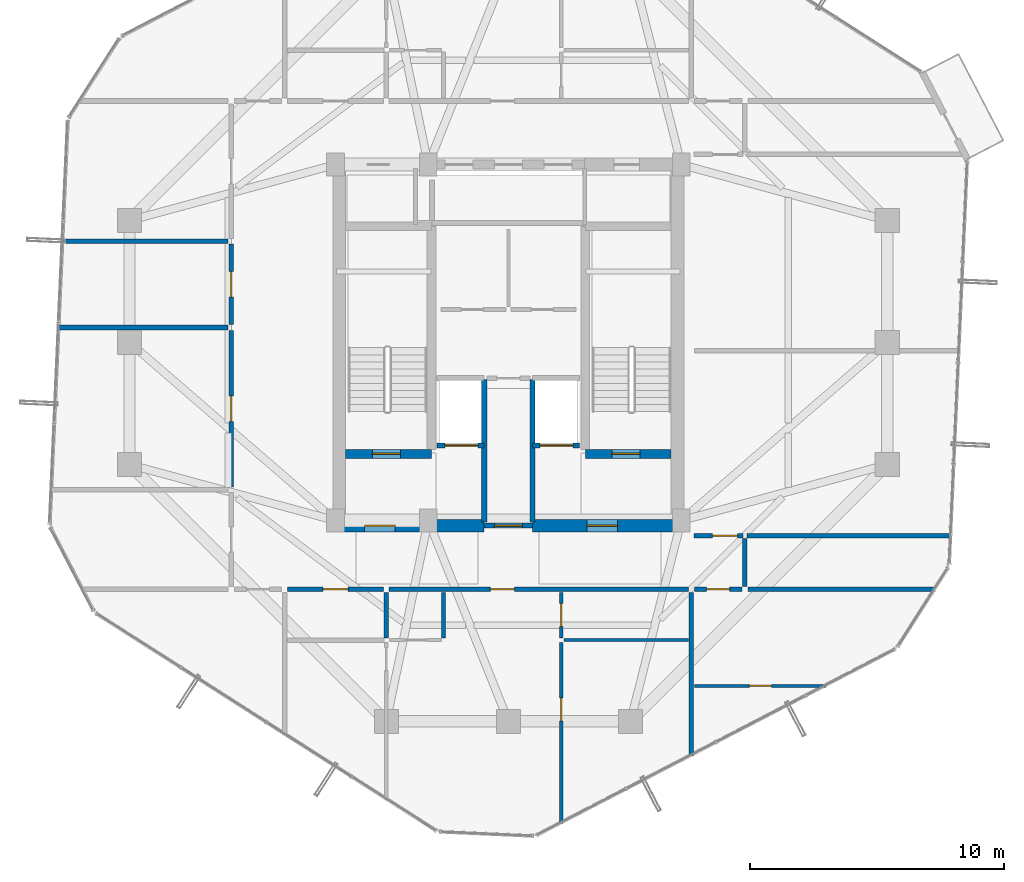
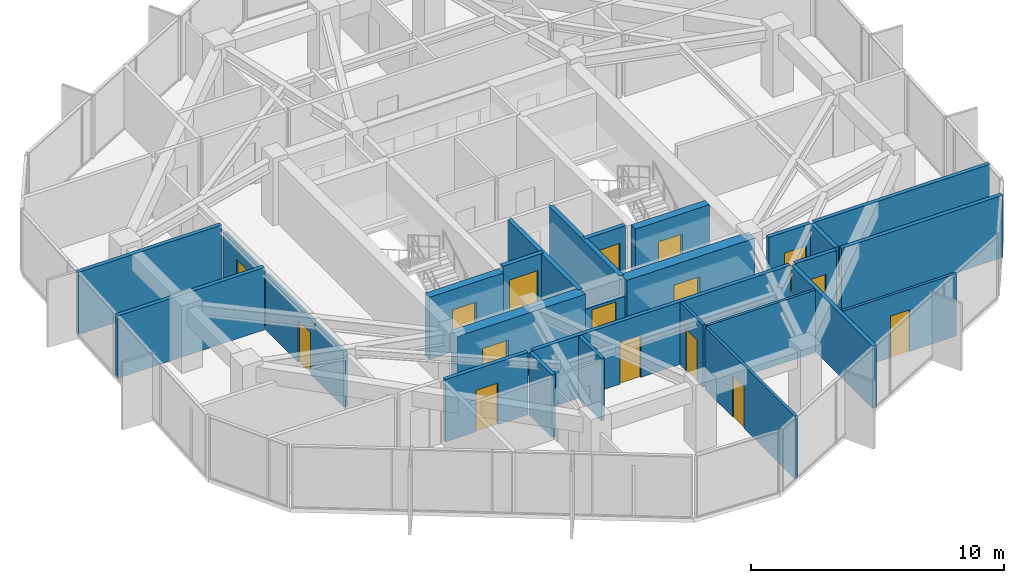
# One storey, part 25 of 29: 27 walls, 16 doors, 16 openings.
"""IFC4 building model written with IfcOpenShell, lengths in metres."""

from ifc_helpers import new_model, si_unit, direction, frame, frame_2d, origin, place, context, subcontext, project, spatial, rectangle, extrude, source, transform, mapped, material, layer, layer_set, type_object, element, fill, save


model = new_model("IFC4")

# Units and contexts
model_context = context("Model", 3, precision=1e-05, world=origin(), true_north=direction((0.0, 1.0)))
body_context = subcontext(model_context, "Body", "Model", "MODEL_VIEW")
ifc_project = project(units=[si_unit("LENGTHUNIT", "METRE"), si_unit("AREAUNIT", "SQUARE_METRE"), si_unit("VOLUMEUNIT", "CUBIC_METRE"), si_unit("PLANEANGLEUNIT", "RADIAN"), si_unit("MASSUNIT", "GRAM", prefix="KILO")], contexts=[model_context])

# Site, building, storey
site_placement = place(None, origin())
site = spatial("IfcSite", under=ifc_project, at=site_placement, CompositionType="ELEMENT")
building_placement = place(site_placement, origin())
building = spatial("IfcBuilding", under=site, at=building_placement, Name="Veraguas Prism Commons", CompositionType="ELEMENT")
storey_placement = place(building_placement, frame((0.0, 0.0, 215.64990234375)))
storey = spatial("IfcBuildingStorey", under=building, at=storey_placement, Name="L61", CompositionType="ELEMENT", Elevation=215.64990234375)

# Wall, opening, door
ifc_material_1 = material(Name="Concrete C50/60", Category="concrete")
ifc_layer_1 = layer(ifc_material_1, 0.35009765625, Name="Core Internal Shear Wall Upper RC 350", Category="concrete")
ifc_layer_set_1 = layer_set([ifc_layer_1], Name="Concrete C50/60")
wall_type_1 = type_object("IfcWallType", Name="Core Internal Shear Wall Upper RC 350", PredefinedType="SHEAR", material=ifc_layer_set_1)
wall_1_placement = place(storey_placement, frame((17.60009765625, 19.625, 0.0), z_axis=(0.0, 0.0, 1.0), x_axis=(1.0, 0.0, 0.0)))
wall_1 = element("IfcWall", 1, at=wall_1_placement, inside=storey, type_object=wall_type_1, Name="Stair ST-01 South Shear Wall L61", PredefinedType="SHEAR", context=body_context, shape_type="SweptSolid", body=[
    extrude(rectangle(XDim=3.375, YDim=0.35009765625, at=frame_2d((1.6875, 0.0))), origin(), (0.0, 0.0, 1.0), 3.01513671875),
])
opening_1_placement = place(wall_1_placement, frame((1.050048828125, 0.0, 0.0)))
opening_1 = element("IfcOpeningElement", 2, at=opening_1_placement, cuts=wall_1, Name="Opening DR-05", PredefinedType="OPENING", context=body_context, shape_type="SweptSolid", body=[
    extrude(rectangle(XDim=1.10009765625, YDim=2.030029296875, at=frame_2d((0.550048828125, 1.01513671875))), frame((0.0, 0.18505859375, 0.0), z_axis=(0.0, -1.0, 0.0), x_axis=(1.0, 0.0, 0.0)), (0.0, 0.0, 1.0), 0.3701171875),
])
ifc_material_2 = material(Name="Steel fire-rated door assembly", Category="steel")
door_type_1 = type_object("IfcDoorType", Name="Protected Stair and Refuge Fire Door 1100x2030", OperationType="NOTDEFINED", PredefinedType="DOOR", material=ifc_material_2)
shared_shape_1 = source(origin(), body_context, "Body", "SweptSolid", [
    extrude(rectangle(XDim=1.10009765625, YDim=2.030029296875, at=frame_2d((0.550048828125, 1.01513671875))), frame((0.0, 0.02490234375, 0.0), z_axis=(0.0, -1.0, 0.0), x_axis=(1.0, 0.0, 0.0)), (0.0, 0.0, 1.0), 0.050048828125),
])
door_1_placement = place(opening_1_placement, origin())
door_1 = element("IfcDoor", 3, at=door_1_placement, inside=storey, type_object=door_type_1, Name="Stair ST-01 Enclosure Door L61", OperationType="SINGLE_SWING_RIGHT", OverallHeight=2.030029296875, OverallWidth=1.10009765625, PredefinedType="DOOR", context=body_context, shape_type="MappedRepresentation", body=[
    mapped(shared_shape_1, transform((0.0, 0.0, 0.0), scale=1.0)),
])
fill(opening_1, door_1)

wall_2_placement = place(storey_placement, frame((27.02490234375, 19.625, 0.0), z_axis=(0.0, 0.0, 1.0), x_axis=(1.0, 0.0, 0.0)))
wall_2 = element("IfcWall", 4, at=wall_2_placement, inside=storey, type_object=wall_type_1, Name="Stair ST-02 South Shear Wall L61", PredefinedType="SHEAR", context=body_context, shape_type="SweptSolid", body=[
    extrude(rectangle(XDim=3.375, YDim=0.35009765625, at=frame_2d((1.6875, 0.0))), origin(), (0.0, 0.0, 1.0), 3.01513671875),
])
opening_2_placement = place(wall_2_placement, frame((1.050048828125, 0.0, 0.0)))
opening_2 = element("IfcOpeningElement", 5, at=opening_2_placement, cuts=wall_2, Name="Opening DR-05", PredefinedType="OPENING", context=body_context, shape_type="SweptSolid", body=[
    extrude(rectangle(XDim=1.10009765625, YDim=2.030029296875, at=frame_2d((0.550048828125, 1.01513671875))), frame((0.0, 0.18505859375, 0.0), z_axis=(0.0, -1.0, 0.0), x_axis=(1.0, 0.0, 0.0)), (0.0, 0.0, 1.0), 0.3701171875),
])
door_2_placement = place(opening_2_placement, origin())
door_2 = element("IfcDoor", 6, at=door_2_placement, inside=storey, type_object=door_type_1, Name="Stair ST-02 Enclosure Door L61", OperationType="SINGLE_SWING_LEFT", OverallHeight=2.030029296875, OverallWidth=1.10009765625, PredefinedType="DOOR", context=body_context, shape_type="MappedRepresentation", body=[
    mapped(shared_shape_1, transform((0.0, 0.0, 0.0), scale=1.0)),
])
fill(opening_2, door_2)

ifc_layer_2 = layer(ifc_material_1, 0.5, Name="Core Outer Shear Wall Upper RC 500", Category="concrete")
ifc_layer_set_2 = layer_set([ifc_layer_2], Name="Concrete C50/60")
wall_type_2 = type_object("IfcWallType", Name="Core Outer Shear Wall Upper RC 500", PredefinedType="SHEAR", material=ifc_layer_set_2)
wall_3_placement = place(storey_placement, frame((17.199951171875, 16.800048828125, 0.0), z_axis=(0.0, 0.0, 1.0), x_axis=(1.0, 0.0, 0.0)))
wall_3 = element("IfcWall", 7, at=wall_3_placement, inside=storey, type_object=wall_type_2, Name="Central Core South-West Shear Wall L61", PredefinedType="SHEAR", context=body_context, shape_type="SweptSolid", body=[
    extrude(rectangle(XDim=5.85009765625, YDim=0.5, at=frame_2d((2.925048828125, 0.0))), origin(), (0.0, 0.0, 1.0), 3.01513671875),
])
opening_3_placement = place(wall_3_placement, frame((1.14990234375, 0.0, 0.0)))
opening_3 = element("IfcOpeningElement", 8, at=opening_3_placement, cuts=wall_3, Name="Opening DR-06", PredefinedType="OPENING", context=body_context, shape_type="SweptSolid", body=[
    extrude(rectangle(XDim=1.199951171875, YDim=2.030029296875, at=frame_2d((0.60009765625, 1.01513671875))), frame((0.0, 0.260009765625, 0.0), z_axis=(0.0, -1.0, 0.0), x_axis=(1.0, 0.0, 0.0)), (0.0, 0.0, 1.0), 0.52001953125),
])
door_type_2 = type_object("IfcDoorType", Name="Firefighting Lobby Smoke Door 1200x2030", OperationType="NOTDEFINED", PredefinedType="DOOR", material=ifc_material_2)
shared_shape_2 = source(origin(), body_context, "Body", "SweptSolid", [
    extrude(rectangle(XDim=1.199951171875, YDim=2.030029296875, at=frame_2d((0.60009765625, 1.01513671875))), frame((0.0, 0.02490234375, 0.0), z_axis=(0.0, -1.0, 0.0), x_axis=(1.0, 0.0, 0.0)), (0.0, 0.0, 1.0), 0.050048828125),
])
door_3_placement = place(opening_3_placement, origin())
door_3 = element("IfcDoor", 9, at=door_3_placement, inside=storey, type_object=door_type_2, Name="West FF Lobby Door L61", OperationType="SINGLE_SWING_LEFT", OverallHeight=2.030029296875, OverallWidth=1.199951171875, PredefinedType="DOOR", context=body_context, shape_type="MappedRepresentation", body=[
    mapped(shared_shape_2, transform((0.0, 0.0, 0.0), scale=1.0)),
])
fill(opening_3, door_3)

wall_4_placement = place(storey_placement, frame((24.949951171875, 16.800048828125, 0.0), z_axis=(0.0, 0.0, 1.0), x_axis=(1.0, 0.0, 0.0)))
wall_4 = element("IfcWall", 10, at=wall_4_placement, inside=storey, type_object=wall_type_2, Name="Central Core South-East Shear Wall L61", PredefinedType="SHEAR", context=body_context, shape_type="SweptSolid", body=[
    extrude(rectangle(XDim=5.85009765625, YDim=0.5, at=frame_2d((2.925048828125, 0.0))), origin(), (0.0, 0.0, 1.0), 3.01513671875),
])
opening_4_placement = place(wall_4_placement, frame((2.14990234375, 0.0, 0.0)))
opening_4 = element("IfcOpeningElement", 11, at=opening_4_placement, cuts=wall_4, Name="Opening DR-06", PredefinedType="OPENING", context=body_context, shape_type="SweptSolid", body=[
    extrude(rectangle(XDim=1.199951171875, YDim=2.030029296875, at=frame_2d((0.60009765625, 1.01513671875))), frame((0.0, 0.260009765625, 0.0), z_axis=(0.0, -1.0, 0.0), x_axis=(1.0, 0.0, 0.0)), (0.0, 0.0, 1.0), 0.52001953125),
])
door_4_placement = place(opening_4_placement, origin())
door_4 = element("IfcDoor", 12, at=door_4_placement, inside=storey, type_object=door_type_2, Name="East FF Lobby Door L61", OperationType="SINGLE_SWING_LEFT", OverallHeight=2.030029296875, OverallWidth=1.199951171875, PredefinedType="DOOR", context=body_context, shape_type="MappedRepresentation", body=[
    mapped(shared_shape_2, transform((0.0, 0.0, 0.0), scale=1.0)),
])
fill(opening_4, door_4)

# Wall
ifc_material_3 = material(Name="Autoclaved aerated masonry block 10 MPa", Category="masonry")
ifc_layer_3 = layer(ifc_material_3, 0.179931640625, Name="Corridor and Inter-Tenancy Partition 180", Category="masonry")
ifc_layer_set_3 = layer_set([ifc_layer_3], Name="Autoclaved aerated masonry block 10 MPa")
wall_type_3 = type_object("IfcWallType", Name="Corridor and Inter-Tenancy Partition 180", PredefinedType="PARTITIONING", material=ifc_layer_set_3)
wall_5_placement = place(storey_placement, frame((31.199951171875, 14.179931640625, 0.0), z_axis=(0.0, 0.0, 1.0), x_axis=(0.0, -1.0, 0.0)))
element("IfcWall", 13, at=wall_5_placement, inside=storey, type_object=wall_type_3, Name="WL-L61-PT002", PredefinedType="PARTITIONING", context=body_context, shape_type="SweptSolid", body=[
    extrude(rectangle(XDim=6.430419921875, YDim=0.179931640625, at=frame_2d((3.21533203125, 0.0))), origin(), (0.0, 0.0, 1.0), 3.01513671875),
])

# Wall, opening, door
wall_6_placement = place(storey_placement, frame((15.31005859375, 14.300048828125, 0.0), z_axis=(0.0, 0.0, 1.0), x_axis=(1.0, 0.0, 0.0)))
wall_6 = element("IfcWall", 14, at=wall_6_placement, inside=storey, type_object=wall_type_3, Name="WL-L61-PT003", PredefinedType="PARTITIONING", context=body_context, shape_type="SweptSolid", body=[
    extrude(rectangle(XDim=3.780029296875, YDim=0.179931640625, at=frame_2d((1.89013671875, 0.0))), origin(), (0.0, 0.0, 1.0), 3.01513671875),
])
opening_5_placement = place(wall_6_placement, frame((1.389892578125, 0.0, 0.0)))
opening_5 = element("IfcOpeningElement", 15, at=opening_5_placement, cuts=wall_6, Name="Opening DR-13", PredefinedType="OPENING", context=body_context, shape_type="SweptSolid", body=[
    extrude(rectangle(XDim=1.0, YDim=2.010009765625, at=frame_2d((0.5, 1.0048828125))), frame((0.0, 0.099853515625, 0.0), z_axis=(0.0, -1.0, 0.0), x_axis=(1.0, 0.0, 0.0)), (0.0, 0.0, 1.0), 0.199951171875),
])
door_type_3 = type_object("IfcDoorType", Name="Core Accessible WC and Clinic Fire Door 1000x2010", OperationType="NOTDEFINED", PredefinedType="DOOR", material=ifc_material_2)
shared_shape_3 = source(origin(), body_context, "Body", "SweptSolid", [
    extrude(rectangle(XDim=1.0, YDim=2.010009765625, at=frame_2d((0.5, 1.0048828125))), frame((0.0, 0.02490234375, 0.0), z_axis=(0.0, -1.0, 0.0), x_axis=(1.0, 0.0, 0.0)), (0.0, 0.0, 1.0), 0.050048828125),
])
door_5_placement = place(opening_5_placement, origin())
door_5 = element("IfcDoor", 16, at=door_5_placement, inside=storey, type_object=door_type_3, Name="Residents Study Alcove 61A Door", OperationType="SINGLE_SWING_LEFT", OverallHeight=2.010009765625, OverallWidth=1.0, PredefinedType="DOOR", context=body_context, shape_type="MappedRepresentation", body=[
    mapped(shared_shape_3, transform((0.0, 0.0, 0.0), scale=1.0)),
])
fill(opening_5, door_5)

wall_7_placement = place(storey_placement, frame((19.31005859375, 14.300048828125, 0.0), z_axis=(0.0, 0.0, 1.0), x_axis=(1.0, 0.0, 0.0)))
wall_7 = element("IfcWall", 17, at=wall_7_placement, inside=storey, type_object=wall_type_3, Name="WL-L61-PT004", PredefinedType="PARTITIONING", context=body_context, shape_type="SweptSolid", body=[
    extrude(rectangle(XDim=11.780029296875, YDim=0.179931640625, at=frame_2d((5.89013671875, 0.0))), origin(), (0.0, 0.0, 1.0), 3.01513671875),
])
opening_6_placement = place(wall_7_placement, frame((3.97998046875, 0.0, 0.0)))
opening_6 = element("IfcOpeningElement", 18, at=opening_6_placement, cuts=wall_7, Name="Opening DR-01", PredefinedType="OPENING", context=body_context, shape_type="SweptSolid", body=[
    extrude(rectangle(XDim=0.949951171875, YDim=2.02001953125, at=frame_2d((0.47509765625, 1.010009765625))), frame((0.0, 0.099853515625, 0.0), z_axis=(0.0, -1.0, 0.0), x_axis=(1.0, 0.0, 0.0)), (0.0, 0.0, 1.0), 0.199951171875),
])
ifc_material_4 = material(Name="Anodised aluminium EN AW-6063 T6", Category="aluminium")
door_type_4 = type_object("IfcDoorType", Name="Apartment Entrance Fire Door 950x2020", OperationType="NOTDEFINED", PredefinedType="DOOR", material=ifc_material_4)
shared_shape_4 = source(origin(), body_context, "Body", "SweptSolid", [
    extrude(rectangle(XDim=0.949951171875, YDim=2.02001953125, at=frame_2d((0.47509765625, 1.010009765625))), frame((0.0, 0.02490234375, 0.0), z_axis=(0.0, -1.0, 0.0), x_axis=(1.0, 0.0, 0.0)), (0.0, 0.0, 1.0), 0.050048828125),
])
door_6_placement = place(opening_6_placement, origin())
door_6 = element("IfcDoor", 19, at=door_6_placement, inside=storey, type_object=door_type_4, Name="Flat 61A Entrance Door", OperationType="SINGLE_SWING_RIGHT", OverallHeight=2.02001953125, OverallWidth=0.949951171875, PredefinedType="DOOR", context=body_context, shape_type="MappedRepresentation", body=[
    mapped(shared_shape_4, transform((0.0, 0.0, 0.0), scale=1.0)),
])
fill(opening_6, door_6)

# Wall
wall_8_placement = place(storey_placement, frame((19.199951171875, 14.179931640625, 0.0), z_axis=(0.0, 0.0, 1.0), x_axis=(0.0, -1.0, 0.0)))
element("IfcWall", 20, at=wall_8_placement, inside=storey, type_object=wall_type_3, Name="WL-L61-PT006", PredefinedType="PARTITIONING", context=body_context, shape_type="SweptSolid", body=[
    extrude(rectangle(XDim=1.800048828125, YDim=0.179931640625, at=frame_2d((0.89990234375, 0.0))), origin(), (0.0, 0.0, 1.0), 3.01513671875),
])

# Wall, opening, door
wall_9_placement = place(storey_placement, frame((13.10009765625, 18.322021484375, 0.0), z_axis=(0.0, 0.0, 1.0), x_axis=(0.0, 1.0, 0.0)))
wall_9 = element("IfcWall", 21, at=wall_9_placement, inside=storey, type_object=wall_type_3, Name="WL-L61-PT028", PredefinedType="PARTITIONING", context=body_context, shape_type="SweptSolid", body=[
    extrude(rectangle(XDim=6.161865234375, YDim=0.179931640625, at=frame_2d((3.0810546875, 0.0))), origin(), (0.0, 0.0, 1.0), 2.662109375),
])
opening_7_placement = place(wall_9_placement, frame((2.5810546875, 0.0, 0.0)))
opening_7 = element("IfcOpeningElement", 22, at=opening_7_placement, cuts=wall_9, Name="Opening DR-13", PredefinedType="OPENING", context=body_context, shape_type="SweptSolid", body=[
    extrude(rectangle(XDim=1.0, YDim=2.010009765625, at=frame_2d((0.5, 1.0048828125))), frame((0.0, 0.099853515625, 0.0), z_axis=(0.0, -1.0, 0.0), x_axis=(1.0, 0.0, 0.0)), (0.0, 0.0, 1.0), 0.199951171875),
])
door_7_placement = place(opening_7_placement, origin())
door_7 = element("IfcDoor", 23, at=door_7_placement, inside=storey, type_object=door_type_3, Name="Co-op Store W Door", OperationType="SINGLE_SWING_RIGHT", OverallHeight=2.010009765625, OverallWidth=1.0, PredefinedType="DOOR", context=body_context, shape_type="MappedRepresentation", body=[
    mapped(shared_shape_3, transform((0.0, 0.0, 0.0), scale=1.0)),
])
fill(opening_7, door_7)

# Wall
wall_10_placement = place(storey_placement, frame((12.97998046875, 24.593994140625, 0.0), z_axis=(0.0, 0.0, 1.0), x_axis=(-1.0, 0.0, 0.0)))
element("IfcWall", 24, at=wall_10_placement, inside=storey, type_object=wall_type_3, Name="WL-L61-PT030", PredefinedType="PARTITIONING", context=body_context, shape_type="SweptSolid", body=[
    extrude(rectangle(XDim=6.71142578125, YDim=0.179931640625, at=frame_2d((3.355712890625, 0.0))), origin(), (0.0, 0.0, 1.0), 3.01513671875),
])

# Wall, opening, door
wall_11_placement = place(storey_placement, frame((13.10009765625, 24.7041015625, 0.0), z_axis=(0.0, 0.0, 1.0), x_axis=(0.0, 1.0, 0.0)))
wall_11 = element("IfcWall", 25, at=wall_11_placement, inside=storey, type_object=wall_type_3, Name="WL-L61-PT031", PredefinedType="PARTITIONING", context=body_context, shape_type="SweptSolid", body=[
    extrude(rectangle(XDim=3.163818359375, YDim=0.179931640625, at=frame_2d((1.58203125, 0.0))), origin(), (0.0, 0.0, 1.0), 2.662109375),
])
opening_8_placement = place(wall_11_placement, frame((1.08203125, 0.0, 0.0)))
opening_8 = element("IfcOpeningElement", 26, at=opening_8_placement, cuts=wall_11, Name="Opening DR-13", PredefinedType="OPENING", context=body_context, shape_type="SweptSolid", body=[
    extrude(rectangle(XDim=1.0, YDim=2.010009765625, at=frame_2d((0.5, 1.0048828125))), frame((0.0, 0.099853515625, 0.0), z_axis=(0.0, -1.0, 0.0), x_axis=(1.0, 0.0, 0.0)), (0.0, 0.0, 1.0), 0.199951171875),
])
door_8_placement = place(opening_8_placement, origin())
door_8 = element("IfcDoor", 27, at=door_8_placement, inside=storey, type_object=door_type_3, Name="Youth Homework Study Room Door", OperationType="SINGLE_SWING_LEFT", OverallHeight=2.010009765625, OverallWidth=1.0, PredefinedType="DOOR", context=body_context, shape_type="MappedRepresentation", body=[
    mapped(shared_shape_3, transform((0.0, 0.0, 0.0), scale=1.0)),
])
fill(opening_8, door_8)

# Walls
wall_12_placement = place(storey_placement, frame((12.97998046875, 27.97802734375, 0.0), z_axis=(0.0, 0.0, 1.0), x_axis=(-1.0, 0.0, 0.0)))
element("IfcWall", 28, at=wall_12_placement, inside=storey, type_object=wall_type_3, Name="WL-L61-PT033", PredefinedType="PARTITIONING", context=body_context, shape_type="SweptSolid", body=[
    extrude(rectangle(XDim=6.56005859375, YDim=0.179931640625, at=frame_2d((3.280029296875, 0.0))), origin(), (0.0, 0.0, 1.0), 3.01513671875),
])
wall_13_placement = place(storey_placement, frame((33.300048828125, 14.39990234375, 0.0), z_axis=(0.0, 0.0, 1.0), x_axis=(0.0, 1.0, 0.0)))
element("IfcWall", 29, at=wall_13_placement, inside=storey, type_object=wall_type_3, Name="WL-L61-PT035", PredefinedType="PARTITIONING", context=body_context, shape_type="SweptSolid", body=[
    extrude(rectangle(XDim=1.900146484375, YDim=0.179931640625, at=frame_2d((0.9501953125, 0.0))), origin(), (0.0, 0.0, 1.0), 3.01513671875),
])

# Wall, opening, door
wall_14_placement = place(storey_placement, frame((31.300048828125, 16.39990234375, 0.0), z_axis=(0.0, 0.0, 1.0), x_axis=(1.0, 0.0, 0.0)))
wall_14 = element("IfcWall", 30, at=wall_14_placement, inside=storey, type_object=wall_type_3, Name="WL-L61-PT037", PredefinedType="PARTITIONING", context=body_context, shape_type="SweptSolid", body=[
    extrude(rectangle(XDim=1.919921875, YDim=0.179931640625, at=frame_2d((0.9599609375, 0.0))), origin(), (0.0, 0.0, 1.0), 3.01513671875),
])
opening_9_placement = place(wall_14_placement, frame((0.719970703125, 0.0, 0.0)))
opening_9 = element("IfcOpeningElement", 31, at=opening_9_placement, cuts=wall_14, Name="Opening DR-13", PredefinedType="OPENING", context=body_context, shape_type="SweptSolid", body=[
    extrude(rectangle(XDim=1.0, YDim=2.010009765625, at=frame_2d((0.5, 1.0048828125))), frame((0.0, 0.099853515625, 0.0), z_axis=(0.0, -1.0, 0.0), x_axis=(1.0, 0.0, 0.0)), (0.0, 0.0, 1.0), 0.199951171875),
])
door_9_placement = place(opening_9_placement, origin())
door_9 = element("IfcDoor", 32, at=door_9_placement, inside=storey, type_object=door_type_3, Name="Panorama Lounge Door L61", OperationType="SINGLE_SWING_LEFT", OverallHeight=2.010009765625, OverallWidth=1.0, PredefinedType="DOOR", context=body_context, shape_type="MappedRepresentation", body=[
    mapped(shared_shape_3, transform((0.0, 0.0, 0.0), scale=1.0)),
])
fill(opening_9, door_9)

# Walls
wall_15_placement = place(storey_placement, frame((33.3798828125, 16.39990234375, 0.0), z_axis=(0.0, 0.0, 1.0), x_axis=(1.0, 0.0, 0.0)))
element("IfcWall", 33, at=wall_15_placement, inside=storey, type_object=wall_type_3, Name="WL-L61-PT038", PredefinedType="PARTITIONING", context=body_context, shape_type="SweptSolid", body=[
    extrude(rectangle(XDim=8.038330078125, YDim=0.179931640625, at=frame_2d((4.01904296875, 0.0))), origin(), (0.0, 0.0, 1.0), 3.01513671875),
])
wall_16_placement = place(storey_placement, frame((33.419921875, 14.300048828125, 0.0), z_axis=(0.0, 0.0, 1.0), x_axis=(1.0, 0.0, 0.0)))
element("IfcWall", 34, at=wall_16_placement, inside=storey, type_object=wall_type_3, Name="WL-L61-PT042", PredefinedType="PARTITIONING", context=body_context, shape_type="SweptSolid", body=[
    extrude(rectangle(XDim=7.3720703125, YDim=0.179931640625, at=frame_2d((3.68603515625, 0.0))), origin(), (0.0, 0.0, 1.0), 3.01513671875),
])

# Wall, opening, door
wall_17_placement = place(storey_placement, frame((31.320068359375, 14.300048828125, 0.0), z_axis=(0.0, 0.0, 1.0), x_axis=(1.0, 0.0, 0.0)))
wall_17 = element("IfcWall", 35, at=wall_17_placement, inside=storey, type_object=wall_type_3, Name="WL-L61-PT043", PredefinedType="PARTITIONING", context=body_context, shape_type="SweptSolid", body=[
    extrude(rectangle(XDim=1.85986328125, YDim=0.179931640625, at=frame_2d((0.929931640625, 0.0))), origin(), (0.0, 0.0, 1.0), 3.01513671875),
])
opening_10_placement = place(wall_17_placement, frame((0.47998046875, 0.0, 0.0)))
opening_10 = element("IfcOpeningElement", 36, at=opening_10_placement, cuts=wall_17, Name="Opening DR-14", PredefinedType="OPENING", context=body_context, shape_type="SweptSolid", body=[
    extrude(rectangle(XDim=0.89990234375, YDim=2.010009765625, at=frame_2d((0.449951171875, 1.0048828125))), frame((0.0, 0.099853515625, 0.0), z_axis=(0.0, -1.0, 0.0), x_axis=(1.0, 0.0, 0.0)), (0.0, 0.0, 1.0), 0.199951171875),
])
door_type_5 = type_object("IfcDoorType", Name="Core Service Room Fire Door 900x2010", OperationType="NOTDEFINED", PredefinedType="DOOR", material=ifc_material_2)
shared_shape_5 = source(origin(), body_context, "Body", "SweptSolid", [
    extrude(rectangle(XDim=0.89990234375, YDim=2.010009765625, at=frame_2d((0.449951171875, 1.0048828125))), frame((0.0, 0.02490234375, 0.0), z_axis=(0.0, -1.0, 0.0), x_axis=(1.0, 0.0, 0.0)), (0.0, 0.0, 1.0), 0.050048828125),
])
door_10_placement = place(opening_10_placement, origin())
door_10 = element("IfcDoor", 37, at=door_10_placement, inside=storey, type_object=door_type_5, Name="Shared Laundry Room Door", OperationType="SINGLE_SWING_RIGHT", OverallHeight=2.010009765625, OverallWidth=0.89990234375, PredefinedType="DOOR", context=body_context, shape_type="MappedRepresentation", body=[
    mapped(shared_shape_5, transform((0.0, 0.0, 0.0), scale=1.0)),
])
fill(opening_10, door_10)

ifc_material_5 = material(Name="Lightweight acoustic gypsum board")
ifc_layer_4 = layer(ifc_material_5, 0.125, Name="Internal Apartment Room Partition 125")
ifc_layer_set_4 = layer_set([ifc_layer_4], Name="Lightweight acoustic gypsum board")
wall_type_4 = type_object("IfcWallType", Name="Internal Apartment Room Partition 125", PredefinedType="PARTITIONING", material=ifc_layer_set_4)
wall_18_placement = place(storey_placement, frame((26.080078125, 14.179931640625, 0.0), z_axis=(0.0, 0.0, 1.0), x_axis=(0.0, -1.0, 0.0)))
wall_18 = element("IfcWall", 38, at=wall_18_placement, inside=storey, type_object=wall_type_4, Name="WL-L61-PT010", PredefinedType="PARTITIONING", context=body_context, shape_type="SweptSolid", body=[
    extrude(rectangle(XDim=1.800048828125, YDim=0.125, at=frame_2d((0.89990234375, 0.0))), origin(), (0.0, 0.0, 1.0), 3.01513671875),
])
opening_11_placement = place(wall_18_placement, frame((0.449951171875, 0.0, 0.0)))
opening_11 = element("IfcOpeningElement", 39, at=opening_11_placement, cuts=wall_18, Name="Opening DR-02", PredefinedType="OPENING", context=body_context, shape_type="SweptSolid", body=[
    extrude(rectangle(XDim=0.89990234375, YDim=2.010009765625, at=frame_2d((0.449951171875, 1.0048828125))), frame((0.0, 0.072509765625, 0.0), z_axis=(0.0, -1.0, 0.0), x_axis=(1.0, 0.0, 0.0)), (0.0, 0.0, 1.0), 0.14501953125),
])
ifc_material_6 = material(Name="Timber solid core hardwood", Category="wood")
door_type_6 = type_object("IfcDoorType", Name="Internal Habitable Room Door 900x2010", OperationType="NOTDEFINED", PredefinedType="DOOR", material=ifc_material_6)
door_11_placement = place(opening_11_placement, origin())
door_11 = element("IfcDoor", 40, at=door_11_placement, inside=storey, type_object=door_type_6, Name="Flat 61A Kitchen Door", OperationType="SINGLE_SWING_LEFT", OverallHeight=2.010009765625, OverallWidth=0.89990234375, PredefinedType="DOOR", context=body_context, shape_type="MappedRepresentation", body=[
    mapped(shared_shape_5, transform((0.0, 0.0, 0.0), scale=1.0)),
])
fill(opening_11, door_11)

# Wall
wall_19_placement = place(storey_placement, frame((26.179931640625, 12.300048828125, 0.0), z_axis=(0.0, 0.0, 1.0), x_axis=(1.0, 0.0, 0.0)))
element("IfcWall", 41, at=wall_19_placement, inside=storey, type_object=wall_type_4, Name="WL-L61-PT011", PredefinedType="PARTITIONING", context=body_context, shape_type="SweptSolid", body=[
    extrude(rectangle(XDim=4.900146484375, YDim=0.125, at=frame_2d((2.4501953125, 0.0))), origin(), (0.0, 0.0, 1.0), 3.01513671875),
])

# Wall, opening, door
wall_20_placement = place(storey_placement, frame((26.080078125, 12.199951171875, 0.0), z_axis=(0.0, 0.0, 1.0), x_axis=(0.0, -1.0, 0.0)))
wall_20 = element("IfcWall", 42, at=wall_20_placement, inside=storey, type_object=wall_type_4, Name="WL-L61-PT012", PredefinedType="PARTITIONING", context=body_context, shape_type="SweptSolid", body=[
    extrude(rectangle(XDim=7.109130859375, YDim=0.125, at=frame_2d((3.5546875, 0.0))), origin(), (0.0, 0.0, 1.0), 3.01513671875),
])
opening_12_placement = place(wall_20_placement, frame((2.175048828125, 0.0, 0.0)))
opening_12 = element("IfcOpeningElement", 43, at=opening_12_placement, cuts=wall_20, Name="Opening DR-02", PredefinedType="OPENING", context=body_context, shape_type="SweptSolid", body=[
    extrude(rectangle(XDim=0.89990234375, YDim=2.010009765625, at=frame_2d((0.449951171875, 1.0048828125))), frame((0.0, 0.072509765625, 0.0), z_axis=(0.0, -1.0, 0.0), x_axis=(1.0, 0.0, 0.0)), (0.0, 0.0, 1.0), 0.14501953125),
])
door_12_placement = place(opening_12_placement, origin())
door_12 = element("IfcDoor", 44, at=door_12_placement, inside=storey, type_object=door_type_6, Name="Flat 61A Bedroom 1 Door", OperationType="SINGLE_SWING_RIGHT", OverallHeight=2.010009765625, OverallWidth=0.89990234375, PredefinedType="DOOR", context=body_context, shape_type="MappedRepresentation", body=[
    mapped(shared_shape_5, transform((0.0, 0.0, 0.0), scale=1.0)),
])
fill(opening_12, door_12)

wall_21_placement = place(storey_placement, frame((31.320068359375, 10.5, 0.0), z_axis=(0.0, 0.0, 1.0), x_axis=(1.0, 0.0, 0.0)))
wall_21 = element("IfcWall", 45, at=wall_21_placement, inside=storey, type_object=wall_type_4, Name="WL-L61-PT044", PredefinedType="PARTITIONING", context=body_context, shape_type="SweptSolid", body=[
    extrude(rectangle(XDim=5.17724609375, YDim=0.125, at=frame_2d((2.588623046875, 0.0))), origin(), (0.0, 0.0, 1.0), 3.01513671875),
])
opening_13_placement = place(wall_21_placement, frame((2.15869140625, 0.0, 0.0)))
opening_13 = element("IfcOpeningElement", 46, at=opening_13_placement, cuts=wall_21, Name="Opening DR-03", PredefinedType="OPENING", context=body_context, shape_type="SweptSolid", body=[
    extrude(rectangle(XDim=0.860107421875, YDim=2.010009765625, at=frame_2d((0.43017578125, 1.0048828125))), frame((0.0, 0.072509765625, 0.0), z_axis=(0.0, -1.0, 0.0), x_axis=(1.0, 0.0, 0.0)), (0.0, 0.0, 1.0), 0.14501953125),
])
ifc_material_7 = material(Name="Timber moisture-resistant leaf", Category="wood")
door_type_7 = type_object("IfcDoorType", Name="Internal Bathroom Door 860x2010", OperationType="NOTDEFINED", PredefinedType="DOOR", material=ifc_material_7)
shared_shape_6 = source(origin(), body_context, "Body", "SweptSolid", [
    extrude(rectangle(XDim=0.860107421875, YDim=2.010009765625, at=frame_2d((0.43017578125, 1.0048828125))), frame((0.0, 0.02490234375, 0.0), z_axis=(0.0, -1.0, 0.0), x_axis=(1.0, 0.0, 0.0)), (0.0, 0.0, 1.0), 0.050048828125),
])
door_13_placement = place(opening_13_placement, origin())
door_13 = element("IfcDoor", 47, at=door_13_placement, inside=storey, type_object=door_type_7, Name="Corner Store SE Door", OperationType="SINGLE_SWING_LEFT", OverallHeight=2.010009765625, OverallWidth=0.860107421875, PredefinedType="DOOR", context=body_context, shape_type="MappedRepresentation", body=[
    mapped(shared_shape_6, transform((0.0, 0.0, 0.0), scale=1.0)),
])
fill(opening_13, door_13)

ifc_layer_5 = layer(ifc_material_3, 0.199951171875, Name="Rated Shaft and Lobby Block Wall 200", Category="masonry")
ifc_layer_set_5 = layer_set([ifc_layer_5], Name="Autoclaved aerated masonry block 10 MPa")
wall_type_5 = type_object("IfcWallType", Name="Rated Shaft and Lobby Block Wall 200", PredefinedType="SOLIDWALL", material=ifc_layer_set_5)
wall_22_placement = place(storey_placement, frame((23.050048828125, 16.800048828125, 0.0), z_axis=(0.0, 0.0, 1.0), x_axis=(1.0, 0.0, 0.0)))
wall_22 = element("IfcWall", 48, at=wall_22_placement, inside=storey, type_object=wall_type_5, Name="Central Core Lobby Entrance Wall L61", PredefinedType="SOLIDWALL", context=body_context, shape_type="SweptSolid", body=[
    extrude(rectangle(XDim=1.89990234375, YDim=0.199951171875, at=frame_2d((0.949951171875, 0.0))), origin(), (0.0, 0.0, 1.0), 2.1650390625),
])
opening_14_placement = place(wall_22_placement, frame((0.39990234375, 0.0, 0.0)))
opening_14 = element("IfcOpeningElement", 49, at=opening_14_placement, cuts=wall_22, Name="Opening DR-05", PredefinedType="OPENING", context=body_context, shape_type="SweptSolid", body=[
    extrude(rectangle(XDim=1.10009765625, YDim=2.030029296875, at=frame_2d((0.550048828125, 1.01513671875))), frame((0.0, 0.10986328125, 0.0), z_axis=(0.0, -1.0, 0.0), x_axis=(1.0, 0.0, 0.0)), (0.0, 0.0, 1.0), 0.219970703125),
])
door_14_placement = place(opening_14_placement, origin())
door_14 = element("IfcDoor", 50, at=door_14_placement, inside=storey, type_object=door_type_1, Name="Central Lobby Door L61", OperationType="SINGLE_SWING_RIGHT", OverallHeight=2.030029296875, OverallWidth=1.10009765625, PredefinedType="DOOR", context=body_context, shape_type="MappedRepresentation", body=[
    mapped(shared_shape_1, transform((0.0, 0.0, 0.0), scale=1.0)),
])
fill(opening_14, door_14)

wall_23_placement = place(storey_placement, frame((21.199951171875, 19.949951171875, 0.0), z_axis=(0.0, 0.0, 1.0), x_axis=(1.0, 0.0, 0.0)))
wall_23 = element("IfcWall", 51, at=wall_23_placement, inside=storey, type_object=wall_type_5, Name="Firefighting Lift FFL-1 Front Wall L61", PredefinedType="SOLIDWALL", context=body_context, shape_type="SweptSolid", body=[
    extrude(rectangle(XDim=1.85009765625, YDim=0.199951171875, at=frame_2d((0.925048828125, 0.0))), origin(), (0.0, 0.0, 1.0), 3.01513671875),
])
opening_15_placement = place(wall_23_placement, frame((0.300048828125, 0.0, 0.0)))
opening_15 = element("IfcOpeningElement", 52, at=opening_15_placement, cuts=wall_23, Name="Opening LD-02", PredefinedType="OPENING", context=body_context, shape_type="SweptSolid", body=[
    extrude(rectangle(XDim=1.300048828125, YDim=2.25, at=frame_2d((0.64990234375, 1.125))), frame((0.0, 0.10986328125, 0.0), z_axis=(0.0, -1.0, 0.0), x_axis=(1.0, 0.0, 0.0)), (0.0, 0.0, 1.0), 0.219970703125),
])
ifc_material_8 = material(Name="Stainless steel AISI 316", Category="steel")
door_type_8 = type_object("IfcDoorType", Name="Firefighting Lift Sliding Landing Door 1300x2250", OperationType="NOTDEFINED", PredefinedType="DOOR", material=ifc_material_8)
shared_shape_7 = source(origin(), body_context, "Body", "SweptSolid", [
    extrude(rectangle(XDim=1.300048828125, YDim=2.25, at=frame_2d((0.64990234375, 1.125))), frame((0.0, 0.02490234375, 0.0), z_axis=(0.0, -1.0, 0.0), x_axis=(1.0, 0.0, 0.0)), (0.0, 0.0, 1.0), 0.050048828125),
])
door_15_placement = place(opening_15_placement, origin())
door_15 = element("IfcDoor", 53, at=door_15_placement, inside=storey, type_object=door_type_8, Name="Firefighting Lift FFL-1 Landing Door L61", OperationType="SLIDING_TO_LEFT", OverallHeight=2.25, OverallWidth=1.300048828125, PredefinedType="DOOR", context=body_context, shape_type="MappedRepresentation", body=[
    mapped(shared_shape_7, transform((0.0, 0.0, 0.0), scale=1.0)),
])
fill(opening_15, door_15)

wall_24_placement = place(storey_placement, frame((24.949951171875, 19.949951171875, 0.0), z_axis=(0.0, 0.0, 1.0), x_axis=(1.0, 0.0, 0.0)))
wall_24 = element("IfcWall", 54, at=wall_24_placement, inside=storey, type_object=wall_type_5, Name="Firefighting Lift FFL-2 Front Wall L61", PredefinedType="SOLIDWALL", context=body_context, shape_type="SweptSolid", body=[
    extrude(rectangle(XDim=1.85009765625, YDim=0.199951171875, at=frame_2d((0.925048828125, 0.0))), origin(), (0.0, 0.0, 1.0), 3.01513671875),
])
opening_16_placement = place(wall_24_placement, frame((0.300048828125, 0.0, 0.0)))
opening_16 = element("IfcOpeningElement", 55, at=opening_16_placement, cuts=wall_24, Name="Opening LD-02", PredefinedType="OPENING", context=body_context, shape_type="SweptSolid", body=[
    extrude(rectangle(XDim=1.300048828125, YDim=2.25, at=frame_2d((0.64990234375, 1.125))), frame((0.0, 0.10986328125, 0.0), z_axis=(0.0, -1.0, 0.0), x_axis=(1.0, 0.0, 0.0)), (0.0, 0.0, 1.0), 0.219970703125),
])
door_16_placement = place(opening_16_placement, origin())
door_16 = element("IfcDoor", 56, at=door_16_placement, inside=storey, type_object=door_type_8, Name="Firefighting Lift FFL-2 Front Wall L61", OperationType="SLIDING_TO_LEFT", OverallHeight=2.25, OverallWidth=1.300048828125, PredefinedType="DOOR", context=body_context, shape_type="MappedRepresentation", body=[
    mapped(shared_shape_7, transform((0.0, 0.0, 0.0), scale=1.0)),
])
fill(opening_16, door_16)

# Walls
for number, where, z_axis, x_axis, name in (
    (57, (23.050048828125, 16.949951171875, 0.0), (0.0, 0.0, 1.0), (0.0, 1.0, 0.0), "West FF Lobby Divider Wall L61"),
    (58, (24.949951171875, 16.949951171875, 0.0), (0.0, 0.0, 1.0), (0.0, 1.0, 0.0), "East FF Lobby Divider Wall L61"),
):
    element("IfcWall", number, at=place(storey_placement, frame(where, z_axis=z_axis, x_axis=x_axis)), inside=storey, type_object=wall_type_5, Name=name, PredefinedType="SOLIDWALL", context=body_context, shape_type="SweptSolid", body=[
        extrude(rectangle(XDim=5.60009765625, YDim=0.199951171875, at=frame_2d((2.800048828125, 0.0))), origin(), (0.0, 0.0, 1.0), 3.01513671875),
    ])
ifc_layer_6 = layer(ifc_material_5, 0.14990234375, Name="Wet Room and Clinic Acoustic Partition 150")
ifc_layer_set_6 = layer_set([ifc_layer_6], Name="Lightweight acoustic gypsum board")
wall_type_6 = type_object("IfcWallType", Name="Wet Room and Clinic Acoustic Partition 150", PredefinedType="PARTITIONING", material=ifc_layer_set_6)
wall_25_placement = place(storey_placement, frame((21.449951171875, 14.179931640625, 0.0), z_axis=(0.0, 0.0, 1.0), x_axis=(0.0, -1.0, 0.0)))
element("IfcWall", 59, at=wall_25_placement, inside=storey, type_object=wall_type_6, Name="WL-L61-PT008", PredefinedType="PARTITIONING", context=body_context, shape_type="SweptSolid", body=[
    extrude(rectangle(XDim=1.800048828125, YDim=0.14990234375, at=frame_2d((0.89990234375, 0.0))), origin(), (0.0, 0.0, 1.0), 3.01513671875),
])

save(model, "model.ifc")
